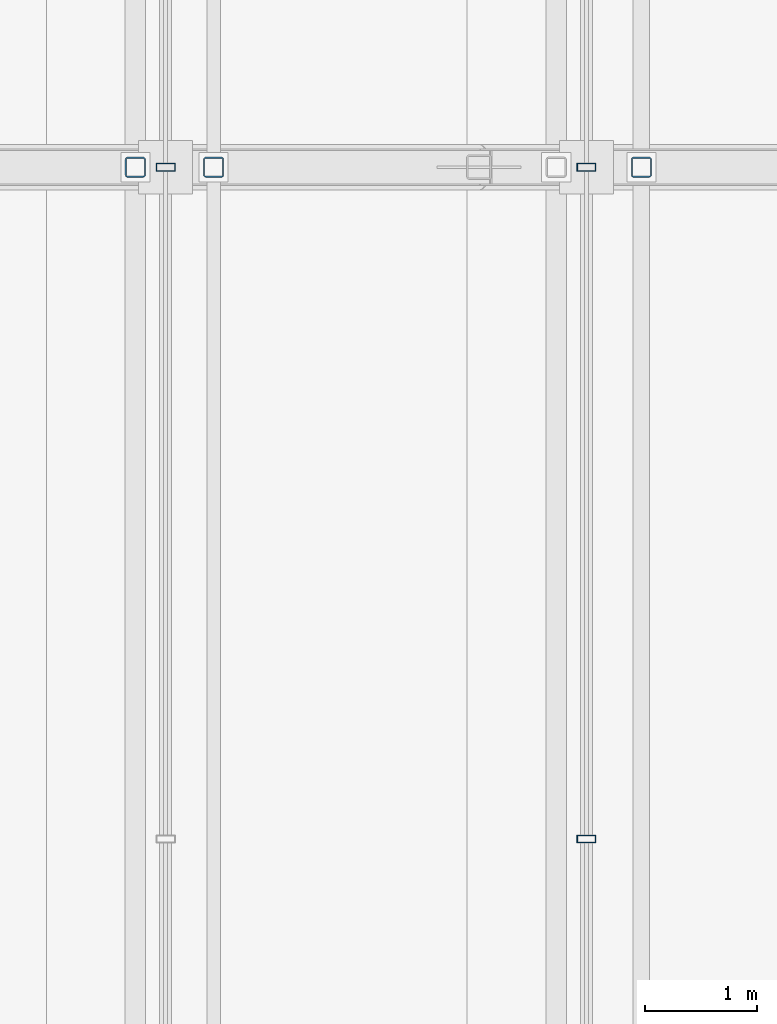
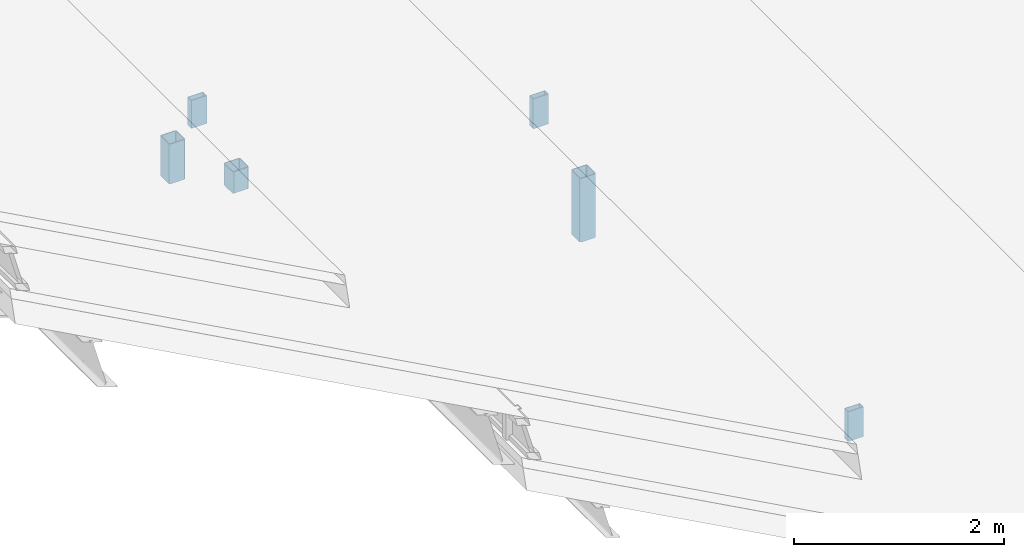
# One storey, part 70 of 117: 6 members, 2 elements without a shape of their own.
"""IFC4 building model written with IfcOpenShell, lengths in metres."""

from ifc_helpers import new_model, si_unit, direction, frame, origin, origin_2d, place, context, subcontext, project, spatial, hollow_rectangle, extrude, material, material_profile, profile_set, type_object, element, aggregate, save


model = new_model("IFC4")

# Units and contexts
model_context = context("Model", 3, precision=1e-05, world=origin(), true_north=direction((0.0, 1.0)))
body_context = subcontext(model_context, "Body", "Model", "MODEL_VIEW")
ifc_project = project(units=[si_unit("LENGTHUNIT", "METRE"), si_unit("AREAUNIT", "SQUARE_METRE"), si_unit("VOLUMEUNIT", "CUBIC_METRE"), si_unit("PLANEANGLEUNIT", "RADIAN"), si_unit("MASSUNIT", "GRAM", prefix="KILO")], contexts=[model_context])

# Site, building, storey
site_placement = place(None, origin())
site = spatial("IfcSite", under=ifc_project, at=site_placement, CompositionType="ELEMENT")
building_placement = place(site_placement, origin())
building = spatial("IfcBuilding", under=site, at=building_placement, Name="Merenkruunu Market Hall", CompositionType="ELEMENT")
storey_placement = place(building_placement, frame((0.0, 0.0, 22.800048828125)))
storey = spatial("IfcBuildingStorey", under=building, at=storey_placement, Name="RF", CompositionType="ELEMENT", Elevation=22.800048828125)

# Curtain wall, members
ifc_material_1 = material(Name="Powder-coated aluminium", Category="aluminium")
curtain_wall_type = type_object("IfcCurtainWallType", Name="Clerestory Curtain Band CL05", PredefinedType="USERDEFINED", material=ifc_material_1)
curtain_wall_1_placement = place(storey_placement, origin())
curtain_wall_1 = element("IfcCurtainWall", 1, at=curtain_wall_1_placement, inside=storey, type_object=curtain_wall_type, Name="CW-RF-CWM04-086", ObjectType="CLERESTORY_BAND", PredefinedType="USERDEFINED")
ifc_material_profile_1 = material_profile(ifc_material_1, hollow_rectangle(XDim=0.070068359375, YDim=0.169921875, WallThickness=0.0048828125, at=origin_2d()), Name="ALU 70x170x5")
ifc_profile_set_1 = profile_set([ifc_material_profile_1], Name="Powder-coated aluminium")
member_type_1 = type_object("IfcMemberType", Name="Curtain Wall Mullion CWM04", PredefinedType="MULLION", material=ifc_profile_set_1)
member_1_placement = place(storey_placement, frame((53.760009765625, 75.60009765625, -6.52197265625), z_axis=(0.0, 0.0, 1.0), x_axis=(0.0, -1.0, 0.0)))
member_1 = element("IfcMember", 2, at=member_1_placement, type_object=member_type_1, Name="CL05 mullion 3", PredefinedType="MULLION", context=body_context, shape_type="SweptSolid", body=[
    extrude(hollow_rectangle(XDim=0.070068359375, YDim=0.169921875, WallThickness=0.0048828125, at=origin_2d()), origin(), (0.0, 0.0, 1.0), 0.347900390625),
])
member_2_placement = place(storey_placement, frame((53.760009765625, 69.60009765625, -6.52197265625), z_axis=(0.0, 0.0, 1.0), x_axis=(0.0, -1.0, 0.0)))
member_2 = element("IfcMember", 3, at=member_2_placement, type_object=member_type_1, Name="CL05 mullion 4", PredefinedType="MULLION", context=body_context, shape_type="SweptSolid", body=[
    extrude(hollow_rectangle(XDim=0.070068359375, YDim=0.169921875, WallThickness=0.0048828125, at=origin_2d()), origin(), (0.0, 0.0, 1.0), 0.347900390625),
])
aggregate(curtain_wall_1, [member_1, member_2])

# Curtain wall, member
curtain_wall_2_placement = place(storey_placement, origin())
curtain_wall_2 = element("IfcCurtainWall", 4, at=curtain_wall_2_placement, inside=storey, type_object=curtain_wall_type, Name="CW-RF-CWM04-094", ObjectType="CLERESTORY_BAND", PredefinedType="USERDEFINED")
member_3_placement = place(storey_placement, frame((50.0, 75.60009765625, -5.2021484375), z_axis=(0.0, 0.0, 1.0), x_axis=(0.0, -1.0, 0.0)))
member_3 = element("IfcMember", 5, at=member_3_placement, type_object=member_type_1, Name="CL05 mullion 3", PredefinedType="MULLION", context=body_context, shape_type="SweptSolid", body=[
    extrude(hollow_rectangle(XDim=0.070068359375, YDim=0.169921875, WallThickness=0.0048828125, at=origin_2d()), origin(), (0.0, 0.0, 1.0), 0.3271484375),
])
aggregate(curtain_wall_2, [member_3])

# Members
ifc_material_2 = material(Name="Steel S355J2", Category="steel")
ifc_material_profile_2 = material_profile(ifc_material_2, hollow_rectangle(XDim=0.179931640625, YDim=0.179931640625, WallThickness=0.010009765625, InnerFilletRadius=0.010009765625, OuterFilletRadius=0.02001953125, at=origin_2d()), Name="SHS 180x180x10")
ifc_profile_set_2 = profile_set([ifc_material_profile_2], Name="Steel S355J2")
member_type_2 = type_object("IfcMemberType", Name="Diagonal Sway Brace BR05", PredefinedType="BRACE", material=ifc_profile_set_2)
member_4_placement = place(storey_placement, frame((54.25, 75.60009765625, -7.98095703125), z_axis=(0.0, 0.0, 1.0), x_axis=(1.0, 0.0, 0.0)))
element("IfcMember", 6, at=member_4_placement, inside=storey, type_object=member_type_2, Name="TRUSS-AT-6-RISER-E1-2", PredefinedType="BRACE", context=body_context, shape_type="SweptSolid", body=[
    extrude(hollow_rectangle(XDim=0.179931640625, YDim=0.179931640625, WallThickness=0.010009765625, InnerFilletRadius=0.010009765625, OuterFilletRadius=0.02001953125, at=origin_2d()), origin(), (0.0, 0.0, 1.0), 0.741455078125),
])
member_5_placement = place(storey_placement, frame((50.429931640625, 75.60009765625, -6.075439453125), z_axis=(0.0, 0.0, 1.0), x_axis=(1.0, 0.0, 0.0)))
element("IfcMember", 7, at=member_5_placement, inside=storey, type_object=member_type_2, Name="TRUSS-AT-6-RISER-E2-2", PredefinedType="BRACE", context=body_context, shape_type="SweptSolid", body=[
    extrude(hollow_rectangle(XDim=0.179931640625, YDim=0.179931640625, WallThickness=0.010009765625, InnerFilletRadius=0.010009765625, OuterFilletRadius=0.02001953125, at=origin_2d()), origin(), (0.0, 0.0, 1.0), 0.25),
])
member_6_placement = place(storey_placement, frame((49.72998046875, 75.60009765625, -5.720947265625), z_axis=(0.0, 0.0, 1.0), x_axis=(1.0, 0.0, 0.0)))
element("IfcMember", 8, at=member_6_placement, inside=storey, type_object=member_type_2, Name="TRUSS-AT-6-RISER-E3-1", PredefinedType="BRACE", context=body_context, shape_type="SweptSolid", body=[
    extrude(hollow_rectangle(XDim=0.179931640625, YDim=0.179931640625, WallThickness=0.010009765625, InnerFilletRadius=0.010009765625, OuterFilletRadius=0.02001953125, at=origin_2d()), origin(), (0.0, 0.0, 1.0), 0.462646484375),
])

save(model, "model.ifc")
